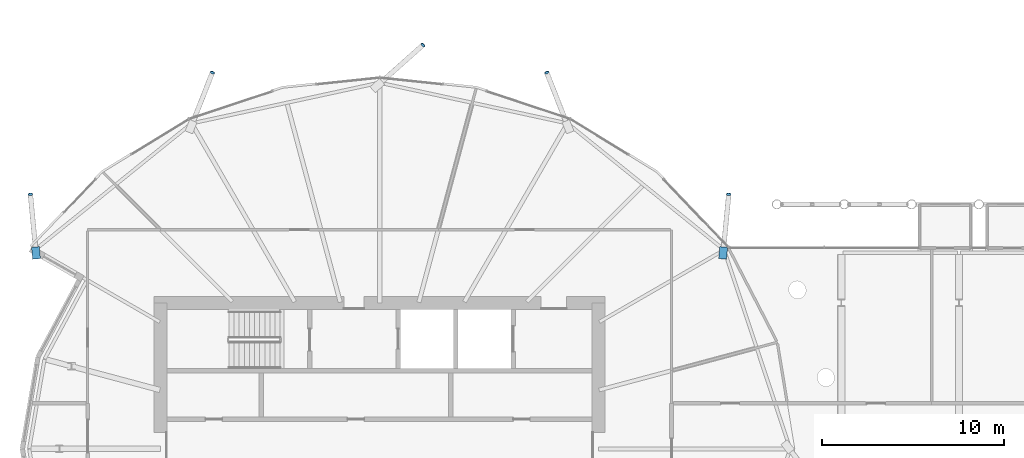
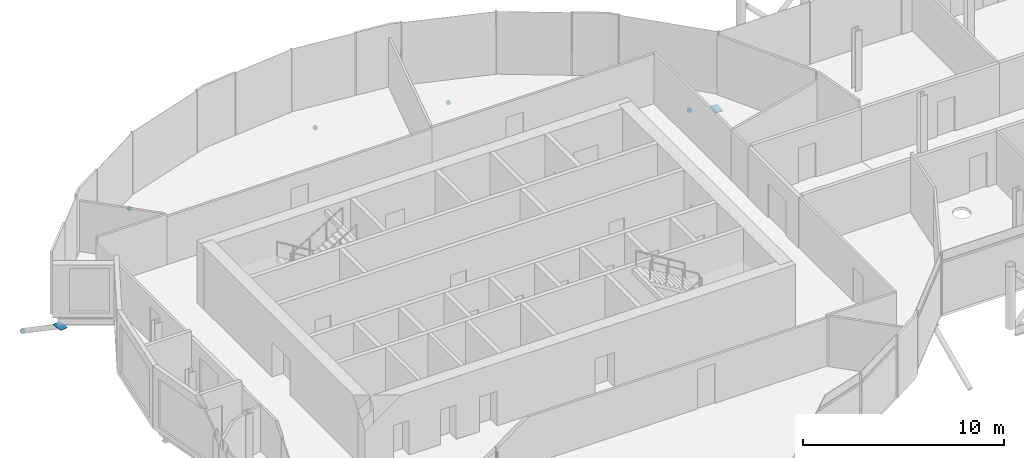
# One storey, part 32 of 39: 7 discrete accessories.
"""IFC4 building model written with IfcOpenShell, lengths in metres."""

import ifcopenshell
import ifcopenshell.guid

model = None  # the IFC model being written
_history = None  # IfcOwnerHistory: only IFC2X3 demands one
_inside = {}  # id of a spatial element -> (the spatial element, [elements in it])
_under = {}  # id of a project, library or spatial element -> (it, [spatial elements below it])
_declared = {}  # id of a project -> (the project, [libraries it declares])
_typed = {}  # id of a type object -> (the type object, [elements of that type])
_made_of = {}  # id of a material, layer set ... -> (it, [elements and type objects made of it])


def new_model(schema):
    """Start an empty IFC model of exactly this schema.

    Asked for "IFC4X3", IfcOpenShell would pick the latest addendum, in which some entities
    have other attributes; the version numbers below select the first issue.
    IFC2X3 requires an IfcOwnerHistory on every rooted entity: one is made here for all.
    """
    global model, _history
    if schema == "IFC4X3":
        model = ifcopenshell.file(schema_version=(4, 3, 0, 0))
    else:
        model = ifcopenshell.file(schema=schema)
    _inside.clear()
    _under.clear()
    _declared.clear()
    _typed.clear()
    _made_of.clear()
    _history = None
    if model.schema == "IFC2X3":
        org = make("IfcOrganization", Name="unknown")
        user = make(
            "IfcPersonAndOrganization",
            ThePerson=make("IfcPerson", FamilyName="unknown"),
            TheOrganization=org,
        )
        app = make(
            "IfcApplication",
            ApplicationDeveloper=org,
            Version="unknown",
            ApplicationFullName="unknown",
            ApplicationIdentifier="unknown",
        )
        _history = make(
            "IfcOwnerHistory",
            OwningUser=user,
            OwningApplication=app,
            ChangeAction="ADDED",
            CreationDate=0,
        )
    return model


def make(cls, **values):
    """One entity of the class cls with the attributes given. An attribute that is None is left unset."""
    return model.create_entity(
        cls, **{name: value for name, value in values.items() if value is not None}
    )


def rooted(cls, **values):
    """An entity with a GlobalId (a new one), such as an element, a storey or a relation."""
    return make(cls, GlobalId=ifcopenshell.guid.new(), OwnerHistory=_history, **values)


def si_unit(unit_type, name, prefix=None):
    """IfcSIUnit, for example si_unit("LENGTHUNIT", "METRE", prefix="MILLI")."""
    return make("IfcSIUnit", UnitType=unit_type, Prefix=prefix, Name=name)


def assignment(units):
    """IfcUnitAssignment: the units of a project."""
    return None if units is None else make("IfcUnitAssignment", Units=units)


def point(xyz):
    """IfcCartesianPoint."""
    return None if xyz is None else make("IfcCartesianPoint", Coordinates=xyz)


def direction(xyz):
    """IfcDirection."""
    return None if xyz is None else make("IfcDirection", DirectionRatios=xyz)


def frame(location, z_axis=None, x_axis=None):
    """IfcAxis2Placement3D, a coordinate frame: its origin and axes. An axis left out is left unset."""
    return make(
        "IfcAxis2Placement3D",
        Location=point(location),
        Axis=direction(z_axis),
        RefDirection=direction(x_axis),
    )


def frame_2d(location, x_axis=None):
    """IfcAxis2Placement2D, a coordinate frame in the plane: its origin and x axis."""
    return make(
        "IfcAxis2Placement2D", Location=point(location), RefDirection=direction(x_axis)
    )


def origin():
    """The frame at (0, 0, 0) with its axes left unset."""
    return frame((0.0, 0.0, 0.0))


def origin_2d():
    """The frame at (0, 0) in the plane with its x axis left unset."""
    return frame_2d((0.0, 0.0))


def place(relative_to, where):
    """IfcLocalPlacement: puts the frame where relative to a parent placement (None: the world)."""
    return make(
        "IfcLocalPlacement", PlacementRelTo=relative_to, RelativePlacement=where
    )


def context(
    kind, dimensions, precision=None, world=None, true_north=None, identifier=None
):
    """IfcGeometricRepresentationContext, for example the 3D "Model" context."""
    return make(
        "IfcGeometricRepresentationContext",
        ContextIdentifier=identifier,
        ContextType=kind,
        CoordinateSpaceDimension=dimensions,
        Precision=precision,
        WorldCoordinateSystem=world,
        TrueNorth=true_north,
    )


def subcontext(parent, identifier, kind, view, scale=None):
    """IfcGeometricRepresentationSubContext, for example "Body" below "Model"."""
    return make(
        "IfcGeometricRepresentationSubContext",
        ContextIdentifier=identifier,
        ContextType=kind,
        ParentContext=parent,
        TargetScale=scale,
        TargetView=view,
    )


def project(units=None, contexts=None):
    """IfcProject with its units and contexts."""
    return rooted(
        "IfcProject",
        Name="project",
        RepresentationContexts=contexts,
        UnitsInContext=assignment(units),
    )


def spatial(cls, under=None, at=None, **own):
    """A site, building, storey or space (cls), placed at a placement, below another one or the project."""
    s = rooted(cls, ObjectPlacement=at, **own)
    if under is not None:
        _under.setdefault(under.id(), (under, []))[1].append(s)
    return s


def polyline(points):
    """IfcPolyline through the points."""
    return make("IfcPolyline", Points=[point(p) for p in points])


def profile(cls, at=None, kind="AREA", **sizes):
    """A parametric profile (cls). Its sizes go by their IFC names, for example OverallWidth=200.0."""
    return make(cls, ProfileType=kind, Position=at, **sizes)


def rectangle(**sizes):
    """IfcRectangleProfileDef."""
    return profile("IfcRectangleProfileDef", **sizes)


def circle(**sizes):
    """IfcCircleProfileDef."""
    return profile("IfcCircleProfileDef", **sizes)


def outline(outer, holes=None, kind="AREA"):
    """IfcArbitraryClosedProfileDef: a profile drawn as a closed curve; with holes, ...WithVoids."""
    if holes is None:
        return make("IfcArbitraryClosedProfileDef", ProfileType=kind, OuterCurve=outer)
    return make(
        "IfcArbitraryProfileDefWithVoids",
        ProfileType=kind,
        OuterCurve=outer,
        InnerCurves=holes,
    )


def extrude(swept, where, along, depth):
    """IfcExtrudedAreaSolid: the profile swept, set in the frame where, extruded along a direction by depth."""
    return make(
        "IfcExtrudedAreaSolid",
        SweptArea=swept,
        Position=where,
        ExtrudedDirection=direction(along),
        Depth=depth,
    )


def shape(context_of_items, identifier, shape_type, items):
    """IfcShapeRepresentation: the items that make up one representation, for example the "Body"."""
    return make(
        "IfcShapeRepresentation",
        ContextOfItems=context_of_items,
        RepresentationIdentifier=identifier,
        RepresentationType=shape_type,
        Items=items,
    )


def material(Name=None, Category=None):
    """IfcMaterial."""
    return make("IfcMaterial", Name=Name, Category=Category)


def material_profile(
    of_material, cross_section, Name=None, Category=None, Priority=None
):
    """IfcMaterialProfile: a cross section and its material."""
    return make(
        "IfcMaterialProfile",
        Name=Name,
        Material=of_material,
        Profile=cross_section,
        Priority=Priority,
        Category=Category,
    )


def profile_set(profiles, Name=None, composite=None):
    """IfcMaterialProfileSet."""
    return make(
        "IfcMaterialProfileSet",
        Name=Name,
        MaterialProfiles=profiles,
        CompositeProfile=composite,
    )


def made_of(thing, what):
    """Note that an element or type object is made of a material, layer set ...; save() writes the relation."""
    if what is not None:
        _made_of.setdefault(what.id(), (what, []))[1].append(thing)
    return thing


def type_object(cls, material=None, **own):
    """A type object (cls), such as IfcWallType, which elements share."""
    return made_of(rooted(cls, **own), material)


def element(
    cls,
    number,
    at=None,
    inside=None,
    cuts=None,
    type_object=None,
    material=None,
    context=None,
    identifier="Body",
    shape_type=None,
    held_by="IfcProductDefinitionShape",
    body=None,
    shapes=None,
    **own,
):
    """One element of the class cls, such as IfcWall. Its Tag is "e" and its number.

    at: its placement. inside: the storey or other place that contains it. cuts: it is an
    opening in that element (IfcRelVoidsElement). A single representation is given by context,
    identifier, shape_type and body (its items); several are given by shapes. held_by: the class
    of the entity that holds the representations. save() writes the other relations.
    """
    e = rooted(cls, Tag="e%d" % number, ObjectPlacement=at, **own)
    if body is not None:
        shapes = [shape(context, identifier, shape_type, body)]
    if shapes is not None:
        e.Representation = make(held_by, Representations=shapes)
    if inside is not None:
        _inside.setdefault(inside.id(), (inside, []))[1].append(e)
    if cuts is not None:
        rooted(
            "IfcRelVoidsElement", RelatingBuildingElement=cuts, RelatedOpeningElement=e
        )
    if type_object is not None:
        _typed.setdefault(type_object.id(), (type_object, []))[1].append(e)
    return made_of(e, material)


def aggregate(whole, parts):
    """IfcRelAggregates: a whole, such as a stair, and the parts it consists of."""
    return rooted("IfcRelAggregates", RelatingObject=whole, RelatedObjects=parts)


def save(model, path):
    """Write the relations noted so far, then the file.

    IfcRelAggregates (storeys below a building ...), IfcRelContainedInSpatialStructure (elements
    in a storey), IfcRelDefinesByType, IfcRelAssociatesMaterial and IfcRelDeclares: one each for
    every whole, place, type object, material and project.
    """
    for whole, parts in _under.values():
        aggregate(whole, parts)
    for where, things in _inside.values():
        rooted(
            "IfcRelContainedInSpatialStructure",
            RelatedElements=things,
            RelatingStructure=where,
        )
    for kind, things in _typed.values():
        rooted("IfcRelDefinesByType", RelatedObjects=things, RelatingType=kind)
    for what, things in _made_of.values():
        rooted("IfcRelAssociatesMaterial", RelatedObjects=things, RelatingMaterial=what)
    for by, libraries in _declared.values():
        rooted("IfcRelDeclares", RelatingContext=by, RelatedDefinitions=libraries)
    model.write(path)


model = new_model("IFC4")

# Units and contexts
model_context = context("Model", 3, precision=1e-05, world=origin(), true_north=direction((0.0, 1.0)))
body_context = subcontext(model_context, "Body", "Model", "MODEL_VIEW")
ifc_project = project(units=[si_unit("LENGTHUNIT", "METRE"), si_unit("AREAUNIT", "SQUARE_METRE"), si_unit("VOLUMEUNIT", "CUBIC_METRE"), si_unit("PLANEANGLEUNIT", "RADIAN"), si_unit("MASSUNIT", "GRAM", prefix="KILO")], contexts=[model_context])

# Site, building, storey
site_placement = place(None, origin())
site = spatial("IfcSite", under=ifc_project, at=site_placement, CompositionType="ELEMENT")
building_placement = place(site_placement, origin())
building = spatial("IfcBuilding", under=site, at=building_placement, Name="Rimbun Link Towers", CompositionType="ELEMENT")
storey_placement = place(building_placement, frame((0.0, 0.0, 139.199951171875)))
storey = spatial("IfcBuildingStorey", under=building, at=storey_placement, Name="L33", CompositionType="ELEMENT", Elevation=139.199951171875)

# Discrete accessories
ifc_material_1 = material(Name="Steel S355J2H", Category="steel")
ifc_material_profile_1 = material_profile(ifc_material_1, circle(Radius=0.1240234375, at=origin_2d()), Name="PL D248")
ifc_profile_set_1 = profile_set([ifc_material_profile_1], Name="Steel S355J2H")
discrete_accessory_type_1 = type_object("IfcDiscreteAccessoryType", Name="Link foot sealing plate D248X20", PredefinedType="BRACKET", material=ifc_profile_set_1)
discrete_accessory_1_placement = place(storey_placement, frame((-12.617919921875, 13.940673828125, -2.729736328125), z_axis=(0.084956211157, 0.82528890838, -0.558283673316), x_axis=(-0.99474329889, 0.102400045474, 0.0)))
element("IfcDiscreteAccessory", 1, at=discrete_accessory_1_placement, inside=storey, type_object=discrete_accessory_type_1, Name="Link foot sealing plate T1 L33 02", PredefinedType="BRACKET", context=body_context, shape_type="SweptSolid", body=[
    extrude(circle(Radius=0.1240234375, at=origin_2d()), origin(), (0.0, 0.0, 1.0), 0.02001953125),
])
for number, where, z_axis, x_axis, name in (
    (2, (-22.586669921875, 20.613037109375, -2.833740234375), (-0.308430504249, 0.789582090877, -0.530500467308), (-0.93145734948, -0.36385052714, 0.0), "Link foot sealing plate T1 L33 04"),
    (3, (-29.376220703125, 22.12548828125, -2.889892578125), (0.640853015981, 0.566908437214, -0.51761205137), (-0.662573882203, 0.74899656249, 0.0), "Link foot sealing plate T1 L33 06"),
    (4, (-40.913330078125, 20.613037109375, -2.833740234375), (0.308430504249, 0.789582090877, -0.530500467308), (-0.93145734948, 0.36385052714, 0.0), "Link foot sealing plate T1 L33 08"),
):
    element("IfcDiscreteAccessory", number, at=place(storey_placement, frame(where, z_axis=z_axis, x_axis=x_axis)), inside=storey, type_object=discrete_accessory_type_1, Name=name, PredefinedType="BRACKET", context=body_context, shape_type="SweptSolid", body=[
        extrude(circle(Radius=0.1240234375, at=origin_2d()), origin(), (0.0, 0.0, 1.0), 0.019775390625),
    ])
discrete_accessory_2_placement = place(storey_placement, frame((-50.882080078125, 13.940673828125, -2.729736328125), z_axis=(-0.084956211157, 0.82528890838, -0.558283673316), x_axis=(-0.99474329889, -0.102400045474, 0.0)))
element("IfcDiscreteAccessory", 5, at=discrete_accessory_2_placement, inside=storey, type_object=discrete_accessory_type_1, Name="Link foot sealing plate T1 L33 10", PredefinedType="BRACKET", context=body_context, shape_type="SweptSolid", body=[
    extrude(circle(Radius=0.1240234375, at=origin_2d()), origin(), (0.0, 0.0, 1.0), 0.02001953125),
])
ifc_material_2 = material(Name="Steel S355J2H", Category="steel")
ifc_material_profile_2 = material_profile(ifc_material_2, rectangle(XDim=0.43310546875, YDim=0.43310546875, at=origin_2d()), Name="PL 433x433")
ifc_profile_set_2 = profile_set([ifc_material_profile_2], Name="Steel S355J2H")
discrete_accessory_type_2 = type_object("IfcDiscreteAccessoryType", Name="Link head end plate 433X20", PredefinedType="BRACKET", material=ifc_profile_set_2)
discrete_accessory_3_placement = place(storey_placement, frame((0.0, 0.0, -0.6064453125)))
element("IfcDiscreteAccessory", 6, at=discrete_accessory_3_placement, inside=storey, type_object=discrete_accessory_type_2, Name="Link head end plate T1 L33 02", PredefinedType="BRACKET", context=body_context, shape_type="SweptSolid", body=[
    extrude(outline(polyline([(-12.738525390625, 10.388427734375), (-12.676513671875, 11.041259765625), (-13.107421875, 11.08251953125), (-13.169677734375, 10.429443359375), (-12.738525390625, 10.388427734375)])), origin(), (0.0, 0.0, 1.0), 0.02001953125),
])
discrete_accessory_4_placement = place(storey_placement, frame((0.0, 0.0, -0.6064453125)))
element("IfcDiscreteAccessory", 7, at=discrete_accessory_4_placement, inside=storey, type_object=discrete_accessory_type_2, Name="Link head end plate T1 L33 10", PredefinedType="BRACKET", context=body_context, shape_type="SweptSolid", body=[
    extrude(outline(polyline([(-50.330322265625, 10.429443359375), (-50.392578125, 11.08251953125), (-50.823486328125, 11.041259765625), (-50.761474609375, 10.388427734375), (-50.330322265625, 10.429443359375)])), origin(), (0.0, 0.0, 1.0), 0.02001953125),
])

save(model, "model.ifc")
